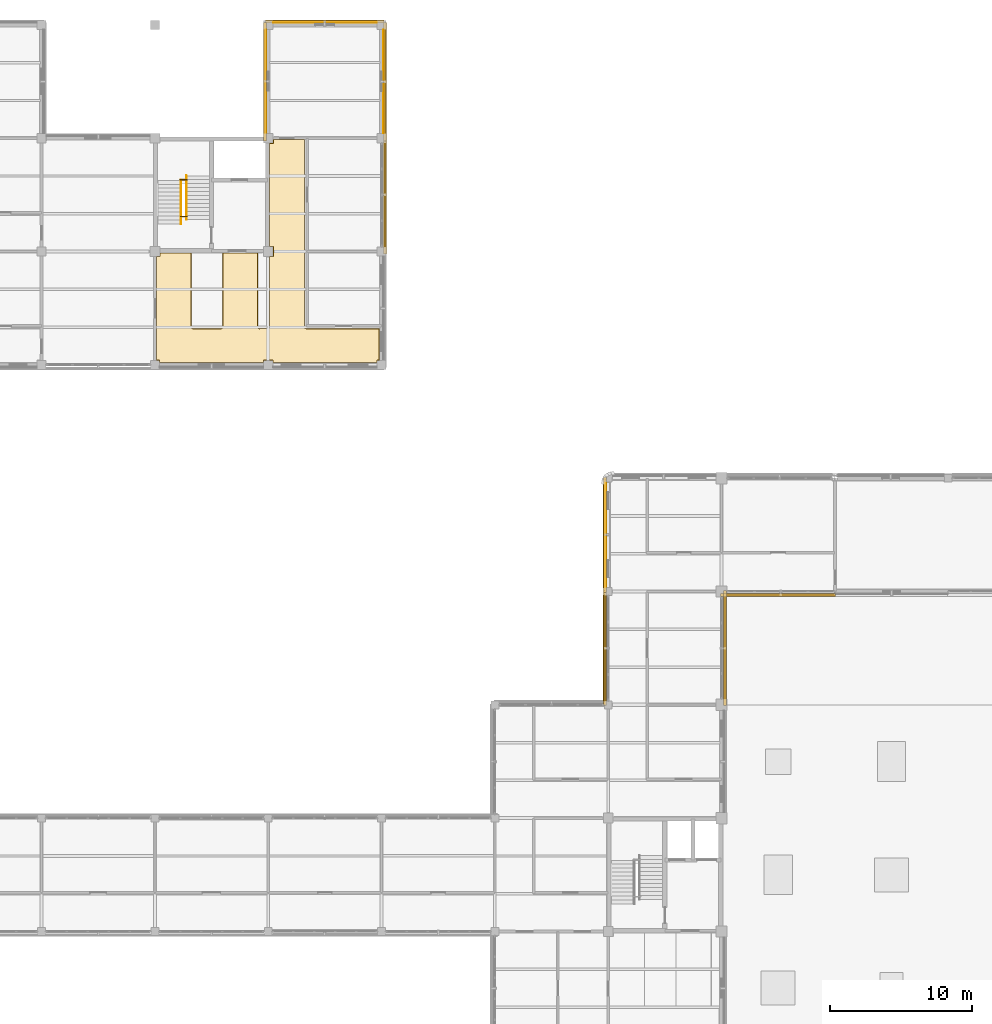
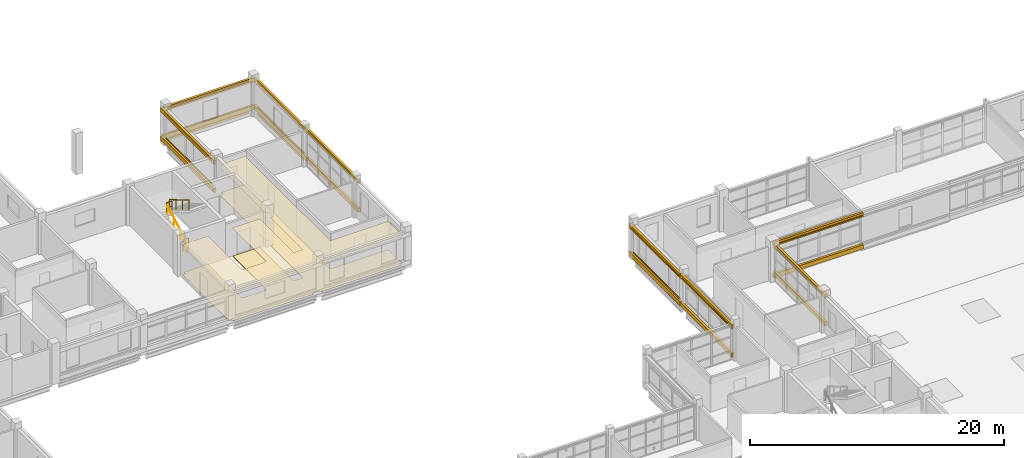
# One storey, part 101 of 107: 22 coverings, 8 shading devices, 4 railings.
"""IFC4 building model written with IfcOpenShell, lengths in metres."""

import ifcopenshell
import ifcopenshell.guid

model = None  # the IFC model being written
_history = None  # IfcOwnerHistory: only IFC2X3 demands one
_inside = {}  # id of a spatial element -> (the spatial element, [elements in it])
_under = {}  # id of a project, library or spatial element -> (it, [spatial elements below it])
_declared = {}  # id of a project -> (the project, [libraries it declares])
_typed = {}  # id of a type object -> (the type object, [elements of that type])
_made_of = {}  # id of a material, layer set ... -> (it, [elements and type objects made of it])


def new_model(schema):
    """Start an empty IFC model of exactly this schema.

    Asked for "IFC4X3", IfcOpenShell would pick the latest addendum, in which some entities
    have other attributes; the version numbers below select the first issue.
    IFC2X3 requires an IfcOwnerHistory on every rooted entity: one is made here for all.
    """
    global model, _history
    if schema == "IFC4X3":
        model = ifcopenshell.file(schema_version=(4, 3, 0, 0))
    else:
        model = ifcopenshell.file(schema=schema)
    _inside.clear()
    _under.clear()
    _declared.clear()
    _typed.clear()
    _made_of.clear()
    _history = None
    if model.schema == "IFC2X3":
        org = make("IfcOrganization", Name="unknown")
        user = make(
            "IfcPersonAndOrganization",
            ThePerson=make("IfcPerson", FamilyName="unknown"),
            TheOrganization=org,
        )
        app = make(
            "IfcApplication",
            ApplicationDeveloper=org,
            Version="unknown",
            ApplicationFullName="unknown",
            ApplicationIdentifier="unknown",
        )
        _history = make(
            "IfcOwnerHistory",
            OwningUser=user,
            OwningApplication=app,
            ChangeAction="ADDED",
            CreationDate=0,
        )
    return model


def make(cls, **values):
    """One entity of the class cls with the attributes given. An attribute that is None is left unset."""
    return model.create_entity(
        cls, **{name: value for name, value in values.items() if value is not None}
    )


def rooted(cls, **values):
    """An entity with a GlobalId (a new one), such as an element, a storey or a relation."""
    return make(cls, GlobalId=ifcopenshell.guid.new(), OwnerHistory=_history, **values)


def si_unit(unit_type, name, prefix=None):
    """IfcSIUnit, for example si_unit("LENGTHUNIT", "METRE", prefix="MILLI")."""
    return make("IfcSIUnit", UnitType=unit_type, Prefix=prefix, Name=name)


def derived_unit(unit_type, elements):
    """IfcDerivedUnit: a product of units, each with its exponent."""
    return make(
        "IfcDerivedUnit",
        Elements=[
            make("IfcDerivedUnitElement", Unit=unit, Exponent=power)
            for unit, power in elements
        ],
        UnitType=unit_type,
    )


def assignment(units):
    """IfcUnitAssignment: the units of a project."""
    return None if units is None else make("IfcUnitAssignment", Units=units)


def point(xyz):
    """IfcCartesianPoint."""
    return None if xyz is None else make("IfcCartesianPoint", Coordinates=xyz)


def direction(xyz):
    """IfcDirection."""
    return None if xyz is None else make("IfcDirection", DirectionRatios=xyz)


def frame(location, z_axis=None, x_axis=None):
    """IfcAxis2Placement3D, a coordinate frame: its origin and axes. An axis left out is left unset."""
    return make(
        "IfcAxis2Placement3D",
        Location=point(location),
        Axis=direction(z_axis),
        RefDirection=direction(x_axis),
    )


def frame_2d(location, x_axis=None):
    """IfcAxis2Placement2D, a coordinate frame in the plane: its origin and x axis."""
    return make(
        "IfcAxis2Placement2D", Location=point(location), RefDirection=direction(x_axis)
    )


def origin():
    """The frame at (0, 0, 0) with its axes left unset."""
    return frame((0.0, 0.0, 0.0))


def origin_2d():
    """The frame at (0, 0) in the plane with its x axis left unset."""
    return frame_2d((0.0, 0.0))


def place(relative_to, where):
    """IfcLocalPlacement: puts the frame where relative to a parent placement (None: the world)."""
    return make(
        "IfcLocalPlacement", PlacementRelTo=relative_to, RelativePlacement=where
    )


def context(
    kind, dimensions, precision=None, world=None, true_north=None, identifier=None
):
    """IfcGeometricRepresentationContext, for example the 3D "Model" context."""
    return make(
        "IfcGeometricRepresentationContext",
        ContextIdentifier=identifier,
        ContextType=kind,
        CoordinateSpaceDimension=dimensions,
        Precision=precision,
        WorldCoordinateSystem=world,
        TrueNorth=true_north,
    )


def subcontext(parent, identifier, kind, view, scale=None):
    """IfcGeometricRepresentationSubContext, for example "Body" below "Model"."""
    return make(
        "IfcGeometricRepresentationSubContext",
        ContextIdentifier=identifier,
        ContextType=kind,
        ParentContext=parent,
        TargetScale=scale,
        TargetView=view,
    )


def project(units=None, contexts=None):
    """IfcProject with its units and contexts."""
    return rooted(
        "IfcProject",
        Name="project",
        RepresentationContexts=contexts,
        UnitsInContext=assignment(units),
    )


def spatial(cls, under=None, at=None, **own):
    """A site, building, storey or space (cls), placed at a placement, below another one or the project."""
    s = rooted(cls, ObjectPlacement=at, **own)
    if under is not None:
        _under.setdefault(under.id(), (under, []))[1].append(s)
    return s


def polyline(points):
    """IfcPolyline through the points."""
    return make("IfcPolyline", Points=[point(p) for p in points])


def profile(cls, at=None, kind="AREA", **sizes):
    """A parametric profile (cls). Its sizes go by their IFC names, for example OverallWidth=200.0."""
    return make(cls, ProfileType=kind, Position=at, **sizes)


def rectangle(**sizes):
    """IfcRectangleProfileDef."""
    return profile("IfcRectangleProfileDef", **sizes)


def circle(**sizes):
    """IfcCircleProfileDef."""
    return profile("IfcCircleProfileDef", **sizes)


def outline(outer, holes=None, kind="AREA"):
    """IfcArbitraryClosedProfileDef: a profile drawn as a closed curve; with holes, ...WithVoids."""
    if holes is None:
        return make("IfcArbitraryClosedProfileDef", ProfileType=kind, OuterCurve=outer)
    return make(
        "IfcArbitraryProfileDefWithVoids",
        ProfileType=kind,
        OuterCurve=outer,
        InnerCurves=holes,
    )


def extrude(swept, where, along, depth):
    """IfcExtrudedAreaSolid: the profile swept, set in the frame where, extruded along a direction by depth."""
    return make(
        "IfcExtrudedAreaSolid",
        SweptArea=swept,
        Position=where,
        ExtrudedDirection=direction(along),
        Depth=depth,
    )


def shape(context_of_items, identifier, shape_type, items):
    """IfcShapeRepresentation: the items that make up one representation, for example the "Body"."""
    return make(
        "IfcShapeRepresentation",
        ContextOfItems=context_of_items,
        RepresentationIdentifier=identifier,
        RepresentationType=shape_type,
        Items=items,
    )


def material(Name=None, Category=None):
    """IfcMaterial."""
    return make("IfcMaterial", Name=Name, Category=Category)


def layer(
    of_material, thickness, ventilated=None, Name=None, Category=None, Priority=None
):
    """IfcMaterialLayer: one layer of a wall or slab, of a material (None: an air gap)."""
    return make(
        "IfcMaterialLayer",
        Material=of_material,
        LayerThickness=thickness,
        IsVentilated=ventilated,
        Name=Name,
        Category=Category,
        Priority=Priority,
    )


def layer_set(layers, Name=None):
    """IfcMaterialLayerSet."""
    return make("IfcMaterialLayerSet", MaterialLayers=layers, LayerSetName=Name)


def material_profile(
    of_material, cross_section, Name=None, Category=None, Priority=None
):
    """IfcMaterialProfile: a cross section and its material."""
    return make(
        "IfcMaterialProfile",
        Name=Name,
        Material=of_material,
        Profile=cross_section,
        Priority=Priority,
        Category=Category,
    )


def profile_set(profiles, Name=None, composite=None):
    """IfcMaterialProfileSet."""
    return make(
        "IfcMaterialProfileSet",
        Name=Name,
        MaterialProfiles=profiles,
        CompositeProfile=composite,
    )


def made_of(thing, what):
    """Note that an element or type object is made of a material, layer set ...; save() writes the relation."""
    if what is not None:
        _made_of.setdefault(what.id(), (what, []))[1].append(thing)
    return thing


def type_object(cls, material=None, **own):
    """A type object (cls), such as IfcWallType, which elements share."""
    return made_of(rooted(cls, **own), material)


def element(
    cls,
    number,
    at=None,
    inside=None,
    cuts=None,
    type_object=None,
    material=None,
    context=None,
    identifier="Body",
    shape_type=None,
    held_by="IfcProductDefinitionShape",
    body=None,
    shapes=None,
    **own,
):
    """One element of the class cls, such as IfcWall. Its Tag is "e" and its number.

    at: its placement. inside: the storey or other place that contains it. cuts: it is an
    opening in that element (IfcRelVoidsElement). A single representation is given by context,
    identifier, shape_type and body (its items); several are given by shapes. held_by: the class
    of the entity that holds the representations. save() writes the other relations.
    """
    e = rooted(cls, Tag="e%d" % number, ObjectPlacement=at, **own)
    if body is not None:
        shapes = [shape(context, identifier, shape_type, body)]
    if shapes is not None:
        e.Representation = make(held_by, Representations=shapes)
    if inside is not None:
        _inside.setdefault(inside.id(), (inside, []))[1].append(e)
    if cuts is not None:
        rooted(
            "IfcRelVoidsElement", RelatingBuildingElement=cuts, RelatedOpeningElement=e
        )
    if type_object is not None:
        _typed.setdefault(type_object.id(), (type_object, []))[1].append(e)
    return made_of(e, material)


def aggregate(whole, parts):
    """IfcRelAggregates: a whole, such as a stair, and the parts it consists of."""
    return rooted("IfcRelAggregates", RelatingObject=whole, RelatedObjects=parts)


def save(model, path):
    """Write the relations noted so far, then the file.

    IfcRelAggregates (storeys below a building ...), IfcRelContainedInSpatialStructure (elements
    in a storey), IfcRelDefinesByType, IfcRelAssociatesMaterial and IfcRelDeclares: one each for
    every whole, place, type object, material and project.
    """
    for whole, parts in _under.values():
        aggregate(whole, parts)
    for where, things in _inside.values():
        rooted(
            "IfcRelContainedInSpatialStructure",
            RelatedElements=things,
            RelatingStructure=where,
        )
    for kind, things in _typed.values():
        rooted("IfcRelDefinesByType", RelatedObjects=things, RelatingType=kind)
    for what, things in _made_of.values():
        rooted("IfcRelAssociatesMaterial", RelatedObjects=things, RelatingMaterial=what)
    for by, libraries in _declared.values():
        rooted("IfcRelDeclares", RelatingContext=by, RelatedDefinitions=libraries)
    model.write(path)


model = new_model("IFC4")

# Units and contexts
model_context = context("Model", 3, precision=1e-05, world=origin(), true_north=direction((0.0, 1.0)))
body_context = subcontext(model_context, "Body", "Model", "MODEL_VIEW")
ifc_project = project(units=[si_unit("LENGTHUNIT", "METRE"), si_unit("AREAUNIT", "SQUARE_METRE"), si_unit("VOLUMEUNIT", "CUBIC_METRE"), si_unit("PLANEANGLEUNIT", "RADIAN"), si_unit("MASSUNIT", "GRAM", prefix="KILO"), derived_unit("THERMALTRANSMITTANCEUNIT", [(si_unit("MASSUNIT", "GRAM", prefix="KILO"), 1), (si_unit("TIMEUNIT", "SECOND"), -3), (si_unit("THERMODYNAMICTEMPERATUREUNIT", "KELVIN"), -1)])], contexts=[model_context])

# Site, building, storey
site_placement = place(None, origin())
site = spatial("IfcSite", under=ifc_project, at=site_placement, CompositionType="ELEMENT")
building_placement = place(site_placement, origin())
building = spatial("IfcBuilding", under=site, at=building_placement, Name="Veyamyaing Civic Hall", CompositionType="ELEMENT")
storey_placement = place(building_placement, frame((0.0, 0.0, 13.860107421875)))
storey = spatial("IfcBuildingStorey", under=building, at=storey_placement, Name="L03", CompositionType="ELEMENT", Elevation=13.860107421875)

# Coverings
ifc_material_1 = material(Name="Buff sandstone ashlar cladding", Category="masonry")
ifc_layer_1 = layer(ifc_material_1, 0.050048828125, Name="Buff sandstone ashlar cladding")
ifc_layer_set_1 = layer_set([ifc_layer_1], Name="Buff sandstone ashlar cladding")
covering_type_1 = type_object("IfcCoveringType", Name="CL-01", PredefinedType="CLADDING", material=ifc_layer_set_1)
covering_1_placement = place(storey_placement, frame((63.826416015625, 76.0, 0.044921875), z_axis=(0.0, 0.0, 1.0), x_axis=(0.0, 1.0, 0.0)))
element("IfcCovering", 1, at=covering_1_placement, inside=storey, type_object=covering_type_1, Name="Facade spandrel cladding CL-01 L03 W 9.10", PredefinedType="CLADDING", context=body_context, shape_type="SweptSolid", body=[
    extrude(rectangle(XDim=7.39990234375, YDim=0.050048828125, at=origin_2d()), origin(), (0.0, 0.0, 1.0), 0.75),
])
ifc_material_2 = material(Name="Turquoise glazed ceramic tile cladding", Category="masonry")
ifc_layer_2 = layer(ifc_material_2, 0.034912109375, Name="Turquoise glazed ceramic tile cladding")
ifc_layer_set_2 = layer_set([ifc_layer_2], Name="Turquoise glazed ceramic tile cladding")
covering_type_2 = type_object("IfcCoveringType", Name="CL-02", PredefinedType="CLADDING", material=ifc_layer_set_2)
covering_2_placement = place(storey_placement, frame((44.0, 112.153564453125, 0.044921875), z_axis=(0.0, 0.0, 1.0), x_axis=(1.0, 0.0, 0.0)))
element("IfcCovering", 2, at=covering_2_placement, inside=storey, type_object=covering_type_2, Name="Facade spandrel cladding CL-02 L03 N 6.14", PredefinedType="CLADDING", context=body_context, shape_type="SweptSolid", body=[
    extrude(rectangle(XDim=7.300048828125, YDim=0.034912109375, at=origin_2d()), origin(), (0.0, 0.0, 1.0), 0.75),
])
covering_3_placement = place(storey_placement, frame((39.846435546875, 108.012451171875, 0.044921875), z_axis=(0.0, 0.0, 1.0), x_axis=(0.0, 1.0, 0.0)))
element("IfcCovering", 3, at=covering_3_placement, inside=storey, type_object=covering_type_2, Name="Facade spandrel cladding CL-02 L03 W 6.14", PredefinedType="CLADDING", context=body_context, shape_type="SweptSolid", body=[
    extrude(rectangle(XDim=7.27490234375, YDim=0.034912109375, at=origin_2d()), origin(), (0.0, 0.0, 1.0), 0.75),
])
covering_4_placement = place(storey_placement, frame((48.153564453125, 108.0, 0.044921875), z_axis=(0.0, 0.0, 1.0), x_axis=(0.0, 1.0, 0.0)))
element("IfcCovering", 4, at=covering_4_placement, inside=storey, type_object=covering_type_2, Name="Facade spandrel cladding CL-02 L03 E 6.14", PredefinedType="CLADDING", context=body_context, shape_type="SweptSolid", body=[
    extrude(rectangle(XDim=7.300048828125, YDim=0.034912109375, at=origin_2d()), origin(), (0.0, 0.0, 1.0), 0.75),
])
ifc_material_3 = material(Name="White powder-coated aluminium 6063-T6", Category="aluminium")
ifc_layer_3 = layer(ifc_material_3, 0.2099609375, Name="White powder-coated aluminium 6063-T6")
ifc_layer_set_3 = layer_set([ifc_layer_3], Name="White powder-coated aluminium 6063-T6")
covering_type_3 = type_object("IfcCoveringType", Name="CL-03", PredefinedType="CLADDING", material=ifc_layer_set_3)
for number, where, z_axis, x_axis, name in (
    (5, (48.239990234375, 100.0, 2.98388671875), (0.0, 0.0, 1.0), (0.0, 1.0, 0.0), "Continuous white head fascia ribbon CL-03 L03 E 6.13"),
    (6, (48.239990234375, 100.0, 0.280029296875), (0.0, 0.0, 1.0), (0.0, 1.0, 0.0), "Continuous white sill fascia ribbon CL-03 L03 E 6.13"),
    (7, (44.0, 112.239990234375, 2.923828125), (0.0, 0.0, 1.0), (1.0, 0.0, 0.0), "Continuous white head fascia ribbon CL-03 L03 N 6.14"),
    (8, (44.0, 112.239990234375, 0.280029296875), (0.0, 0.0, 1.0), (1.0, 0.0, 0.0), "Continuous white sill fascia ribbon CL-03 L03 N 6.14"),
    (9, (39.760009765625, 108.0, 2.98388671875), (0.0, 0.0, 1.0), (0.0, 1.0, 0.0), "Continuous white head fascia ribbon CL-03 L03 W 6.14"),
    (10, (39.760009765625, 108.0, 0.280029296875), (0.0, 0.0, 1.0), (0.0, 1.0, 0.0), "Continuous white sill fascia ribbon CL-03 L03 W 6.14"),
    (11, (48.239990234375, 108.0, 2.923828125), (0.0, 0.0, 1.0), (0.0, 1.0, 0.0), "Continuous white head fascia ribbon CL-03 L03 E 6.14"),
    (12, (48.239990234375, 108.0, 0.280029296875), (0.0, 0.0, 1.0), (0.0, 1.0, 0.0), "Continuous white sill fascia ribbon CL-03 L03 E 6.14"),
):
    element("IfcCovering", number, at=place(storey_placement, frame(where, z_axis=z_axis, x_axis=x_axis)), inside=storey, type_object=covering_type_3, Name=name, PredefinedType="CLADDING", context=body_context, shape_type="SweptSolid", body=[
        extrude(rectangle(XDim=8.360107421875, YDim=0.2099609375, at=origin_2d()), origin(), (0.0, 0.0, 1.0), 0.39990234375),
    ])
for number, where, z_axis, x_axis, name in (
    (13, (63.760009765625, 68.0, 2.987060546875), (0.0, 0.0, 1.0), (0.0, 1.0, 0.0), "Continuous white head fascia ribbon CL-03 L03 W 9.9"),
    (14, (63.760009765625, 68.0, 0.280029296875), (0.0, 0.0, 1.0), (0.0, 1.0, 0.0), "Continuous white sill fascia ribbon CL-03 L03 W 9.9"),
    (15, (72.239990234375, 68.0, 2.919921875), (0.0, 0.0, 1.0), (0.0, 1.0, 0.0), "Continuous white head fascia ribbon CL-03 L03 E 9.9"),
    (16, (72.239990234375, 68.0, 0.280029296875), (0.0, 0.0, 1.0), (0.0, 1.0, 0.0), "Continuous white sill fascia ribbon CL-03 L03 E 9.9"),
    (17, (63.760009765625, 76.0, 2.919921875), (0.0, 0.0, 1.0), (0.0, 1.0, 0.0), "Continuous white head fascia ribbon CL-03 L03 W 9.10"),
    (18, (63.760009765625, 76.0, 0.280029296875), (0.0, 0.0, 1.0), (0.0, 1.0, 0.0), "Continuous white sill fascia ribbon CL-03 L03 W 9.10"),
    (19, (76.0, 71.760009765625, 3.344970703125), (0.0, 0.0, 1.0), (1.0, 0.0, 0.0), "Continuous white head fascia ribbon CL-03 L03 S 10.10"),
    (20, (76.0, 71.760009765625, 0.280029296875), (0.0, 0.0, 1.0), (1.0, 0.0, 0.0), "Continuous white sill fascia ribbon CL-03 L03 S 10.10"),
):
    element("IfcCovering", number, at=place(storey_placement, frame(where, z_axis=z_axis, x_axis=x_axis)), inside=storey, type_object=covering_type_3, Name=name, PredefinedType="CLADDING", context=body_context, shape_type="SweptSolid", body=[
        extrude(rectangle(XDim=8.1201171875, YDim=0.2099609375, at=origin_2d()), origin(), (0.0, 0.0, 1.0), 0.39990234375),
    ])
ifc_material_4 = material(Name="Perforated acoustic gypsum ceiling board")
ifc_layer_4 = layer(ifc_material_4, 0.02490234375, Name="Perforated acoustic gypsum ceiling board")
ifc_layer_set_4 = layer_set([ifc_layer_4], Name="Perforated acoustic gypsum ceiling board")
covering_type_4 = type_object("IfcCoveringType", Name="CLG-01", PredefinedType="CEILING", material=ifc_layer_set_4)
covering_5_placement = place(storey_placement, frame((0.0, 0.0, 2.699951171875)))
element("IfcCovering", 21, at=covering_5_placement, inside=storey, type_object=covering_type_4, Name="Acoustic suspended ceiling CLG-01 L03-C02", PredefinedType="CEILING", context=body_context, shape_type="SweptSolid", body=[
    extrude(outline(polyline([(34.574951171875, 90.652587890625), (34.581298828125, 90.62158203125), (34.597412109375, 90.597412109375), (34.62158203125, 90.581298828125), (34.652587890625, 90.574951171875), (36.6982421875, 90.574951171875), (36.7216796875, 90.57861328125), (36.741455078125, 90.587890625), (36.7578125, 90.6025390625), (36.768798828125, 90.620849609375), (36.77490234375, 90.652587890625), (36.77490234375, 95.925048828125), (39.27490234375, 95.925048828125), (39.27685546875, 90.635498046875), (39.288330078125, 90.60791015625), (39.302490234375, 90.59228515625), (39.32080078125, 90.581298828125), (39.352294921875, 90.574951171875), (40.006591796875, 90.575439453125), (40.029296875, 90.5810546875), (40.04052734375, 90.587158203125), (40.0625, 90.60888671875), (40.071533203125, 90.62841796875), (40.074951171875, 90.65185546875), (40.074951171875, 95.6650390625), (40.3349609375, 95.6650390625), (40.3349609375, 96.3349609375), (40.074951171875, 96.3349609375), (40.074951171875, 103.6650390625), (40.3349609375, 103.6650390625), (40.3349609375, 103.925048828125), (42.574951171875, 103.925048828125), (42.574951171875, 90.65185546875), (42.578369140625, 90.62890625), (42.5927734375, 90.602294921875), (42.6083984375, 90.587890625), (42.62841796875, 90.57861328125), (42.65185546875, 90.574951171875), (47.844970703125, 90.574951171875), (47.844970703125, 88.31005859375), (47.68994140625, 88.31005859375), (47.68994140625, 88.155029296875), (40.31005859375, 88.155029296875), (40.31005859375, 88.31005859375), (39.68994140625, 88.31005859375), (39.68994140625, 88.155029296875), (32.31005859375, 88.155029296875), (32.31005859375, 88.31005859375), (32.074951171875, 88.31005859375), (32.074951171875, 95.6650390625), (32.3349609375, 95.6650390625), (32.3349609375, 95.925048828125), (34.574951171875, 95.925048828125), (34.574951171875, 90.652587890625)])), origin(), (0.0, 0.0, 1.0), 0.02490234375),
])
ifc_material_5 = material(Name="Polished Mandalay marble and terrazzo flooring", Category="masonry")
ifc_layer_5 = layer(ifc_material_5, 0.030029296875, Name="Polished Mandalay marble and terrazzo flooring")
ifc_layer_set_5 = layer_set([ifc_layer_5], Name="Polished Mandalay marble and terrazzo flooring")
covering_type_5 = type_object("IfcCoveringType", Name="FLR-01", PredefinedType="FLOORING", material=ifc_layer_set_5)
covering_6_placement = place(storey_placement, origin())
element("IfcCovering", 22, at=covering_6_placement, inside=storey, type_object=covering_type_5, Name="Stone and terrazzo flooring FLR-01 L03-C02", PredefinedType="FLOORING", context=body_context, shape_type="SweptSolid", body=[
    extrude(outline(polyline([(34.550048828125, 90.64990234375), (34.5576171875, 90.61181640625), (34.579345703125, 90.579345703125), (34.61181640625, 90.5576171875), (34.64990234375, 90.550048828125), (36.699951171875, 90.550048828125), (36.72900390625, 90.55419921875), (36.755615234375, 90.56689453125), (36.77734375, 90.586669921875), (36.79248046875, 90.61181640625), (36.800048828125, 90.64990234375), (36.800048828125, 95.89990234375), (39.25, 95.89990234375), (39.251953125, 90.630615234375), (39.266845703125, 90.594482421875), (39.28662109375, 90.57275390625), (39.311767578125, 90.5576171875), (39.35009765625, 90.550048828125), (40.009765625, 90.550537109375), (40.038330078125, 90.5576171875), (40.0556640625, 90.56689453125), (40.0830078125, 90.594482421875), (40.095703125, 90.62109375), (40.10009765625, 90.64990234375), (40.10009765625, 95.639892578125), (40.360107421875, 95.639892578125), (40.360107421875, 96.360107421875), (40.10009765625, 96.360107421875), (40.10009765625, 103.639892578125), (40.360107421875, 103.639892578125), (40.360107421875, 103.89990234375), (42.550048828125, 103.89990234375), (42.550048828125, 90.64990234375), (42.55419921875, 90.62109375), (42.57275390625, 90.586669921875), (42.594482421875, 90.56689453125), (42.62109375, 90.55419921875), (42.64990234375, 90.550048828125), (47.820068359375, 90.550048828125), (47.820068359375, 88.3349609375), (47.6650390625, 88.3349609375), (47.6650390625, 88.179931640625), (40.3349609375, 88.179931640625), (40.3349609375, 88.3349609375), (39.6650390625, 88.3349609375), (39.6650390625, 88.179931640625), (32.3349609375, 88.179931640625), (32.3349609375, 88.3349609375), (32.10009765625, 88.3349609375), (32.10009765625, 95.639892578125), (32.360107421875, 95.639892578125), (32.360107421875, 95.89990234375), (34.550048828125, 95.89990234375), (34.550048828125, 90.64990234375)])), origin(), (0.0, 0.0, 1.0), 0.02978515625),
])

# Railings
ifc_material_6 = material(Name="Steel S355J2", Category="steel")
railing_type_1 = type_object("IfcRailingType", Name="RL-01", PredefinedType="BALUSTRADE", material=ifc_material_6)
railing_1_placement = place(storey_placement, frame((33.780029296875, 101.070068359375, 1.97998046875)))
element("IfcRailing", 23, at=railing_1_placement, inside=storey, type_object=railing_type_1, Name="Half-landing slot guard RL-01 ST-02 L03", PredefinedType="BALUSTRADE", context=body_context, shape_type="SweptSolid", body=[
    extrude(circle(Radius=0.02392578125, at=origin_2d()), frame((0.0, 0.0, 1.076171875), z_axis=(1.0, 0.0, 0.0), x_axis=(0.0, 1.0, 0.0)), (0.0, 0.0, 1.0), 0.489990234375),
    extrude(circle(Radius=0.01416015625, at=origin_2d()), frame((0.0, 0.0, 0.572021484375), z_axis=(1.0, 0.0, 0.0), x_axis=(0.0, 1.0, 0.0)), (0.0, 0.0, 1.0), 0.489990234375),
    extrude(circle(Radius=0.02099609375, at=origin_2d()), origin(), (0.0, 0.0, 1.0), 1.052001953125),
    extrude(circle(Radius=0.02099609375, at=origin_2d()), frame((0.489990234375, 0.0, 0.0)), (0.0, 0.0, 1.0), 1.052001953125),
])
railing_2_placement = place(storey_placement, frame((33.800048828125, 98.47998046875, 0.0)))
element("IfcRailing", 24, at=railing_2_placement, inside=storey, type_object=railing_type_1, Name="Floor-landing slot guard RL-01 ST-02 L03", PredefinedType="BALUSTRADE", context=body_context, shape_type="SweptSolid", body=[
    extrude(circle(Radius=0.02392578125, at=origin_2d()), frame((0.0, 0.0, 1.076171875), z_axis=(1.0, 0.0, 0.0), x_axis=(0.0, 1.0, 0.0)), (0.0, 0.0, 1.0), 0.469970703125),
    extrude(circle(Radius=0.01416015625, at=origin_2d()), frame((0.0, 0.0, 0.572021484375), z_axis=(1.0, 0.0, 0.0), x_axis=(0.0, 1.0, 0.0)), (0.0, 0.0, 1.0), 0.469970703125),
    extrude(circle(Radius=0.02099609375, at=origin_2d()), origin(), (0.0, 0.0, 1.0), 1.052001953125),
    extrude(circle(Radius=0.02099609375, at=origin_2d()), frame((0.469970703125, 0.0, 0.0)), (0.0, 0.0, 1.0), 1.052001953125),
])
railing_type_2 = type_object("IfcRailingType", Name="RL-02", PredefinedType="HANDRAIL", material=ifc_material_6)
railing_3_placement = place(storey_placement, frame((33.840087890625, 97.949951171875, 0.164794921875)))
element("IfcRailing", 25, at=railing_3_placement, inside=storey, type_object=railing_type_2, Name="Stair pitch handrail RL-02 ST-02 L03.1", PredefinedType="HANDRAIL", context=body_context, shape_type="SweptSolid", body=[
    extrude(circle(Radius=0.02392578125, at=origin_2d()), frame((0.0, 0.0, 0.89599609375), z_axis=(0.0, 0.861521393093, 0.507721271215), x_axis=(-1.0, 0.0, 0.0)), (0.0, 0.0, 1.0), 3.5751953125),
    extrude(circle(Radius=0.02099609375, at=origin_2d()), origin(), (0.0, 0.0, 1.0), 0.871826171875),
    extrude(circle(Radius=0.02099609375, at=origin_2d()), frame((0.0, 1.026611328125, 0.60498046875)), (0.0, 0.0, 1.0), 0.871826171875),
    extrude(circle(Radius=0.02099609375, at=origin_2d()), frame((0.0, 2.053466796875, 1.210205078125)), (0.0, 0.0, 1.0), 0.871826171875),
    extrude(circle(Radius=0.02099609375, at=origin_2d()), frame((0.0, 3.080078125, 1.815185546875)), (0.0, 0.0, 1.0), 0.871826171875),
])
railing_4_placement = place(storey_placement, frame((34.219970703125, 101.35009765625, 2.144775390625)))
element("IfcRailing", 26, at=railing_4_placement, inside=storey, type_object=railing_type_2, Name="Stair pitch handrail RL-02 ST-02 L03.2", PredefinedType="HANDRAIL", context=body_context, shape_type="SweptSolid", body=[
    extrude(circle(Radius=0.02392578125, at=origin_2d()), frame((0.0, 0.0, 0.89599609375), z_axis=(0.0, -0.861521393093, 0.507721271215), x_axis=(1.0, 0.0, 0.0)), (0.0, 0.0, 1.0), 3.5751953125),
    extrude(circle(Radius=0.02099609375, at=origin_2d()), origin(), (0.0, 0.0, 1.0), 0.871826171875),
    extrude(circle(Radius=0.02099609375, at=origin_2d()), frame((0.0, -1.026611328125, 0.60498046875)), (0.0, 0.0, 1.0), 0.871826171875),
    extrude(circle(Radius=0.02099609375, at=origin_2d()), frame((0.0, -2.053466796875, 1.210205078125)), (0.0, 0.0, 1.0), 0.871826171875),
    extrude(circle(Radius=0.02099609375, at=origin_2d()), frame((0.0, -3.080078125, 1.815185546875)), (0.0, 0.0, 1.0), 0.871826171875),
])

# Shading devices
ifc_material_profile_1 = material_profile(ifc_material_3, circle(Radius=0.110107421875, at=origin_2d()), Name="SHADE-TUBE-220")
ifc_profile_set_1 = profile_set([ifc_material_profile_1], Name="White powder-coated aluminium 6063-T6")
shading_device_type_1 = type_object("IfcShadingDeviceType", Name="SH-01", PredefinedType="USERDEFINED", material=ifc_profile_set_1)
shading_device_1_placement = place(storey_placement, frame((63.760009765625, 64.260009765625, 3.14697265625), z_axis=(0.0, 1.0, 0.0), x_axis=(-1.0, 0.0, 0.0)))
element("IfcShadingDevice", 27, at=shading_device_1_placement, inside=storey, type_object=shading_device_type_1, Name="Horizontal white sunshade ribbon SH-01 L03 W 9.9", ObjectType="SUNSHADE", PredefinedType="USERDEFINED", context=body_context, shape_type="SweptSolid", body=[
    extrude(circle(Radius=0.110107421875, at=origin_2d()), origin(), (0.0, 0.0, 1.0), 7.47998046875),
])
shading_device_2_placement = place(storey_placement, frame((72.239990234375, 64.385009765625, 3.079833984375), z_axis=(0.0, 1.0, 0.0), x_axis=(-1.0, 0.0, 0.0)))
element("IfcShadingDevice", 28, at=shading_device_2_placement, inside=storey, type_object=shading_device_type_1, Name="Horizontal white sunshade ribbon SH-01 L03 E 9.9", ObjectType="SUNSHADE", PredefinedType="USERDEFINED", context=body_context, shape_type="SweptSolid", body=[
    extrude(circle(Radius=0.110107421875, at=origin_2d()), origin(), (0.0, 0.0, 1.0), 7.22998046875),
])
shading_device_3_placement = place(storey_placement, frame((63.760009765625, 72.260009765625, 3.079833984375), z_axis=(0.0, 1.0, 0.0), x_axis=(-1.0, 0.0, 0.0)))
element("IfcShadingDevice", 29, at=shading_device_3_placement, inside=storey, type_object=shading_device_type_1, Name="Horizontal white sunshade ribbon SH-01 L03 W 9.10", ObjectType="SUNSHADE", PredefinedType="USERDEFINED", context=body_context, shape_type="SweptSolid", body=[
    extrude(circle(Radius=0.110107421875, at=origin_2d()), origin(), (0.0, 0.0, 1.0), 7.47998046875),
])
shading_device_4_placement = place(storey_placement, frame((72.385009765625, 71.760009765625, 3.5048828125), z_axis=(1.0, 0.0, 0.0), x_axis=(0.0, 1.0, 0.0)))
element("IfcShadingDevice", 30, at=shading_device_4_placement, inside=storey, type_object=shading_device_type_1, Name="Horizontal white sunshade ribbon SH-01 L03 S 10.10", ObjectType="SUNSHADE", PredefinedType="USERDEFINED", context=body_context, shape_type="SweptSolid", body=[
    extrude(circle(Radius=0.110107421875, at=origin_2d()), origin(), (0.0, 0.0, 1.0), 7.614990234375),
])
ifc_material_profile_2 = material_profile(ifc_material_3, circle(Radius=0.090087890625, at=origin_2d()), Name="SHADE-TUBE-180")
ifc_profile_set_2 = profile_set([ifc_material_profile_2], Name="White powder-coated aluminium 6063-T6")
shading_device_type_2 = type_object("IfcShadingDeviceType", Name="SH-02", PredefinedType="USERDEFINED", material=ifc_profile_set_2)
for number, where, z_axis, x_axis, name in (
    (31, (48.239990234375, 96.31005859375, 3.143798828125), (0.0, 1.0, 0.0), (-1.0, 0.0, 0.0), "Horizontal white sunshade ribbon SH-02 L03 E 6.13"),
    (32, (40.31005859375, 112.239990234375, 3.083984375), (1.0, 0.0, 0.0), (0.0, 1.0, 0.0), "Horizontal white sunshade ribbon SH-02 L03 N 6.14"),
):
    element("IfcShadingDevice", number, at=place(storey_placement, frame(where, z_axis=z_axis, x_axis=x_axis)), inside=storey, type_object=shading_device_type_2, Name=name, ObjectType="SUNSHADE", PredefinedType="USERDEFINED", context=body_context, shape_type="SweptSolid", body=[
        extrude(circle(Radius=0.090087890625, at=origin_2d()), origin(), (0.0, 0.0, 1.0), 7.3798828125),
    ])
shading_device_5_placement = place(storey_placement, frame((39.760009765625, 104.3349609375, 3.143798828125), z_axis=(0.0, 1.0, 0.0), x_axis=(-1.0, 0.0, 0.0)))
element("IfcShadingDevice", 33, at=shading_device_5_placement, inside=storey, type_object=shading_device_type_2, Name="Horizontal white sunshade ribbon SH-02 L03 W 6.14", ObjectType="SUNSHADE", PredefinedType="USERDEFINED", context=body_context, shape_type="SweptSolid", body=[
    extrude(circle(Radius=0.090087890625, at=origin_2d()), origin(), (0.0, 0.0, 1.0), 7.35498046875),
])
shading_device_6_placement = place(storey_placement, frame((48.239990234375, 104.31005859375, 3.083984375), z_axis=(0.0, 1.0, 0.0), x_axis=(-1.0, 0.0, 0.0)))
element("IfcShadingDevice", 34, at=shading_device_6_placement, inside=storey, type_object=shading_device_type_2, Name="Horizontal white sunshade ribbon SH-02 L03 E 6.14", ObjectType="SUNSHADE", PredefinedType="USERDEFINED", context=body_context, shape_type="SweptSolid", body=[
    extrude(circle(Radius=0.090087890625, at=origin_2d()), origin(), (0.0, 0.0, 1.0), 7.3798828125),
])

save(model, "model.ifc")
